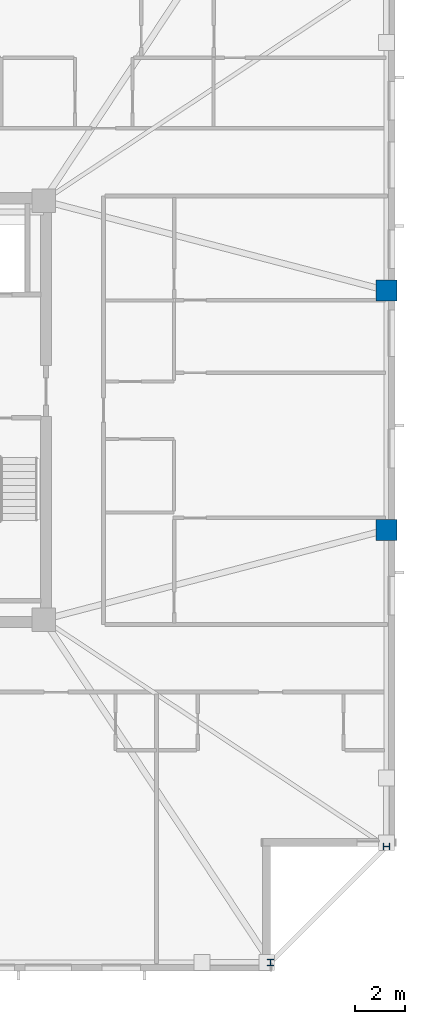
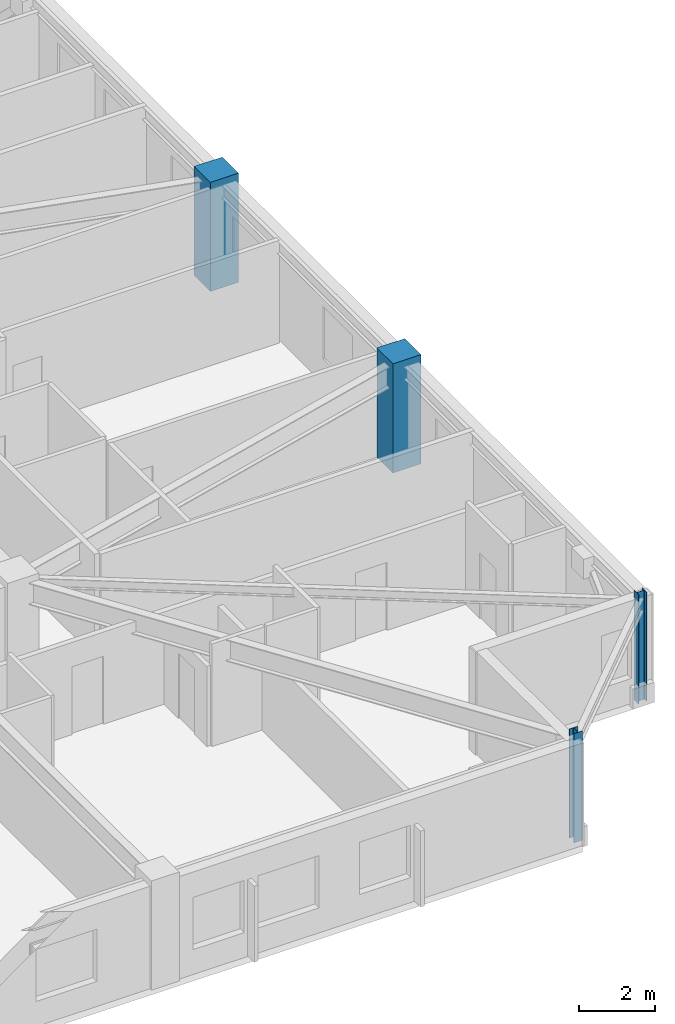
# One storey, part 3 of 17: 4 columns.
"""IFC4 building model written with IfcOpenShell, lengths in metres."""

from ifc_helpers import new_model, si_unit, direction, frame, origin, origin_2d, place, context, subcontext, project, spatial, rectangle, i_section, extrude, material, material_profile, profile_set, type_object, element, save


model = new_model("IFC4")

# Units and contexts
model_context = context("Model", 3, precision=1e-05, world=origin(), true_north=direction((0.0, 1.0)))
body_context = subcontext(model_context, "Body", "Model", "MODEL_VIEW")
ifc_project = project(units=[si_unit("LENGTHUNIT", "METRE"), si_unit("AREAUNIT", "SQUARE_METRE"), si_unit("VOLUMEUNIT", "CUBIC_METRE"), si_unit("PLANEANGLEUNIT", "RADIAN"), si_unit("MASSUNIT", "GRAM", prefix="KILO")], contexts=[model_context])

# Site, building, storey
site_placement = place(None, origin())
site = spatial("IfcSite", under=ifc_project, at=site_placement, CompositionType="ELEMENT")
building_placement = place(site_placement, origin())
building = spatial("IfcBuilding", under=site, at=building_placement, Name="Cairnveth Concourse Tower", CompositionType="ELEMENT")
storey_placement = place(building_placement, frame((0.0, 0.0, 220.0)))
storey = spatial("IfcBuildingStorey", under=building, at=storey_placement, Name="L60", CompositionType="ELEMENT", Elevation=220.0)

# Columns
ifc_material_1 = material(Name="Concrete N65 (65 MPa)", Category="concrete")
ifc_material_profile_1 = material_profile(ifc_material_1, rectangle(XDim=0.85009765625, YDim=0.85009765625, at=origin_2d()), Name="RC-COL-850x850")
ifc_profile_set_1 = profile_set([ifc_material_profile_1], Name="Concrete N65 (65 MPa)")
column_type_1 = type_object("IfcColumnType", Name="PERIMETER PIER COLUMN 850X850", PredefinedType="COLUMN", material=ifc_profile_set_1)
for number, where, z_axis, x_axis, name in (
    (1, (74.14990234375, 34.199951171875, 0.0), (0.0, 0.0, 1.0), (0.0, 1.0, 0.0), "Column P-E2 L60"),
    (2, (74.14990234375, 43.800048828125, 0.0), (0.0, 0.0, 1.0), (0.0, 1.0, 0.0), "Column P-E3 L60"),
):
    element("IfcColumn", number, at=place(storey_placement, frame(where, z_axis=z_axis, x_axis=x_axis)), inside=storey, type_object=column_type_1, Name=name, PredefinedType="COLUMN", context=body_context, shape_type="SweptSolid", body=[
        extrude(rectangle(XDim=0.85009765625, YDim=0.85009765625, at=origin_2d()), origin(), (0.0, 0.0, 1.0), 3.5),
    ])
ifc_material_2 = material(Name="Steel Grade 350", Category="steel")
ifc_material_profile_2 = material_profile(ifc_material_2, i_section(OverallWidth=0.256103515625, OverallDepth=0.260009765625, WebThickness=0.010498046875, FlangeThickness=0.017333984375, FilletRadius=0.012939453125, at=origin_2d()), Name="250UC89.5")
ifc_profile_set_2 = profile_set([ifc_material_profile_2], Name="Steel Grade 350")
column_type_2 = type_object("IfcColumnType", Name="UNIVERSAL STEEL COLUMN 250UC89.5", PredefinedType="COLUMN", material=ifc_profile_set_2)
for number, where, z_axis, x_axis, name in (
    (3, (69.5, 16.85009765625, 0.0), (0.0, 0.0, 1.0), (1.0, 0.0, 0.0), "Column P-S4 L60"),
    (4, (74.14990234375, 21.5, 0.0), (0.0, 0.0, 1.0), (0.0, 1.0, 0.0), "Column P-E1 L60"),
):
    element("IfcColumn", number, at=place(storey_placement, frame(where, z_axis=z_axis, x_axis=x_axis)), inside=storey, type_object=column_type_2, Name=name, PredefinedType="COLUMN", context=body_context, shape_type="SweptSolid", body=[
        extrude(i_section(OverallWidth=0.256103515625, OverallDepth=0.260009765625, WebThickness=0.010498046875, FlangeThickness=0.017333984375, FilletRadius=0.012939453125, at=origin_2d()), origin(), (0.0, 0.0, 1.0), 3.5),
    ])

save(model, "model.ifc")
